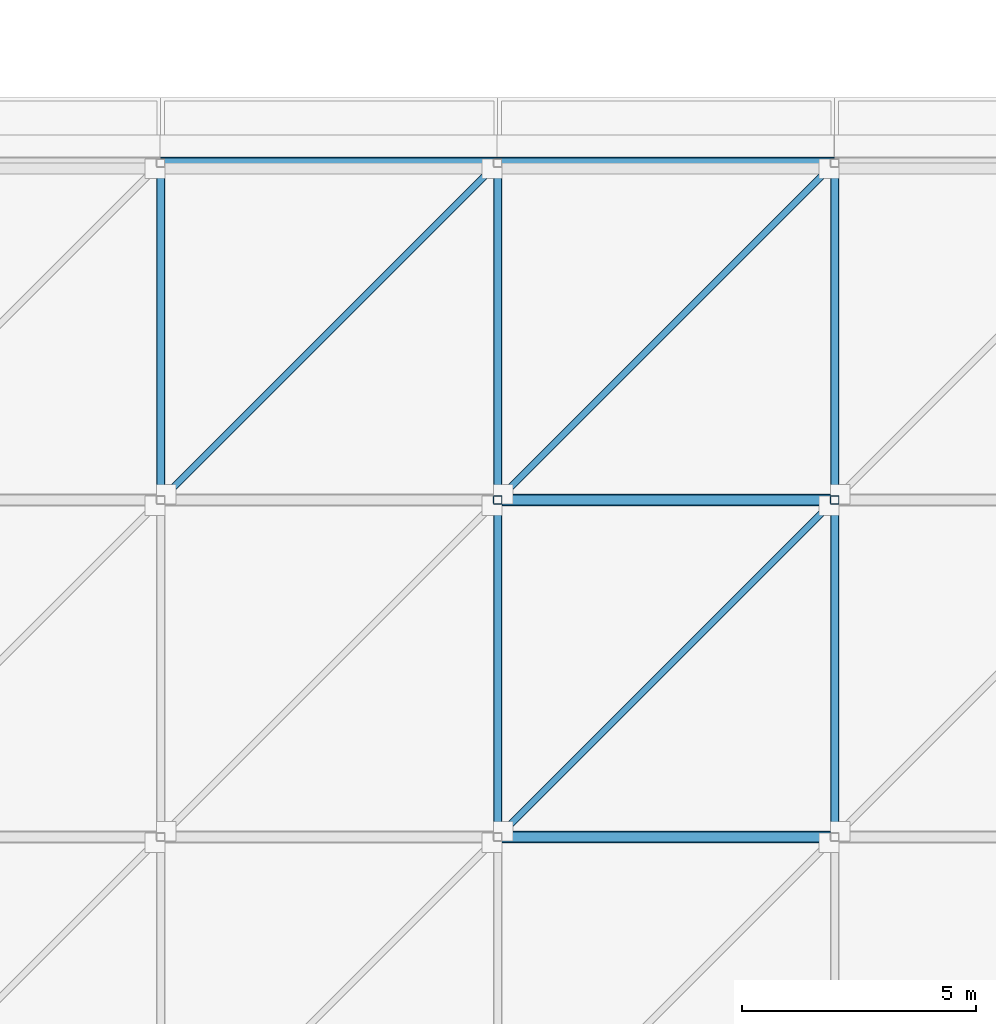
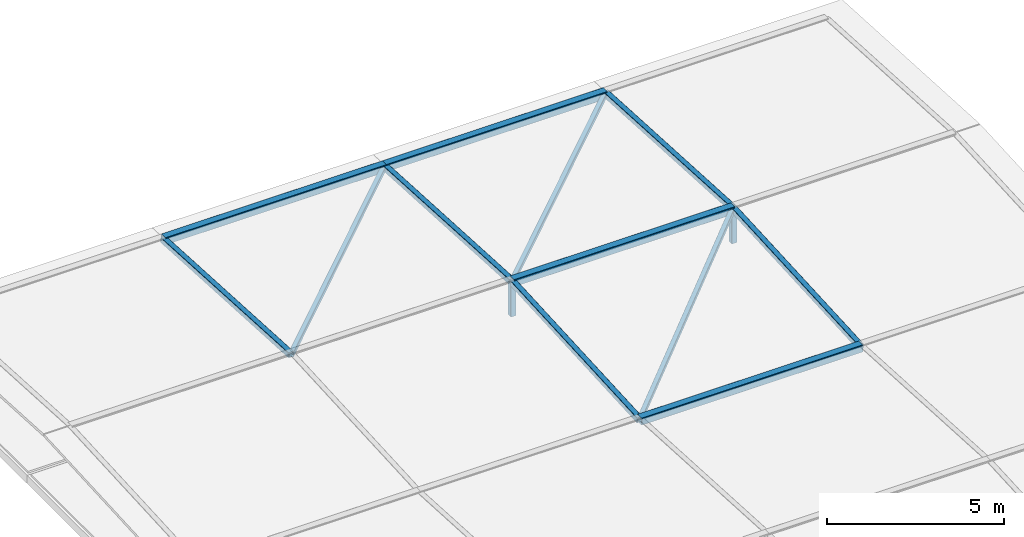
# One storey, part 5 of 15: 14 members.
"""IFC4 building model written with IfcOpenShell, lengths in metres."""

from ifc_helpers import new_model, si_unit, direction, frame, origin, origin_2d, place, context, subcontext, project, spatial, hollow_rectangle, extrude, material, material_profile, profile_set, type_object, element, save


model = new_model("IFC4")

# Units and contexts
model_context = context("Model", 3, precision=1e-05, world=origin(), true_north=direction((0.0, 1.0)))
body_context = subcontext(model_context, "Body", "Model", "MODEL_VIEW")
ifc_project = project(units=[si_unit("LENGTHUNIT", "METRE"), si_unit("AREAUNIT", "SQUARE_METRE"), si_unit("VOLUMEUNIT", "CUBIC_METRE"), si_unit("PLANEANGLEUNIT", "RADIAN"), si_unit("MASSUNIT", "GRAM", prefix="KILO")], contexts=[model_context])

# Site, building, storey
site_placement = place(None, origin())
site = spatial("IfcSite", under=ifc_project, at=site_placement, CompositionType="ELEMENT")
building_placement = place(site_placement, origin())
building = spatial("IfcBuilding", under=site, at=building_placement, Name="Kavelor Marine Aquarium", CompositionType="ELEMENT")
storey_placement = place(building_placement, frame((0.0, 0.0, 25.56005859375)))
storey = spatial("IfcBuildingStorey", under=building, at=storey_placement, Name="RF", CompositionType="ELEMENT", Elevation=25.56005859375)

# Members
ifc_material_1 = material(Name="Steel S355", Category="steel")
ifc_material_profile_1 = material_profile(ifc_material_1, hollow_rectangle(XDim=0.25, YDim=0.25, WallThickness=0.010009765625, InnerFilletRadius=0.014892578125, OuterFilletRadius=0.02490234375, at=origin_2d()), Name="SHS 250x250x10.0")
ifc_profile_set_1 = profile_set([ifc_material_profile_1], Name="Steel S355")
member_type_1 = type_object("IfcMemberType", Name="ST-PV1", PredefinedType="CHORD", material=ifc_profile_set_1)
for number, where, z_axis, x_axis, name in (
    (1, (125.60009765625, 103.60009765625, 0.75), (1.0, 0.0, 0.0), (0.0, 1.0, 0.0), "pv:x2:17_13"),
    (2, (132.800048828125, 89.199951171875, 0.75), (1.0, 0.0, 0.0), (0.0, 1.0, 0.0), "pv:x1:18_12"),
    (3, (132.800048828125, 96.39990234375, 1.14990234375), (1.0, 0.0, 0.0), (0.0, 1.0, 0.0), "pv:x1:18_13"),
    (4, (132.800048828125, 103.60009765625, 0.75), (1.0, 0.0, 0.0), (0.0, 1.0, 0.0), "pv:x2:18_13"),
):
    element("IfcMember", number, at=place(storey_placement, frame(where, z_axis=z_axis, x_axis=x_axis)), inside=storey, type_object=member_type_1, Name=name, PredefinedType="CHORD", context=body_context, shape_type="SweptSolid", body=[
        extrude(hollow_rectangle(XDim=0.25, YDim=0.25, WallThickness=0.010009765625, InnerFilletRadius=0.014892578125, OuterFilletRadius=0.02490234375, at=origin_2d()), origin(), (0.0, 0.0, 1.0), 7.199951171875),
    ])
ifc_material_2 = material(Name="Steel S355", Category="steel")
ifc_material_profile_2 = material_profile(ifc_material_2, hollow_rectangle(XDim=0.179931640625, YDim=0.179931640625, WallThickness=0.008056640625, InnerFilletRadius=0.011962890625, OuterFilletRadius=0.02001953125, at=origin_2d()), Name="SHS 180x180x8.0")
ifc_profile_set_2 = profile_set([ifc_material_profile_2], Name="Steel S355")
member_type_2 = type_object("IfcMemberType", Name="ST-PV2", PredefinedType="CHORD", material=ifc_profile_set_2)
member_1_placement = place(storey_placement, frame((125.60009765625, 96.39990234375, 1.14990234375), z_axis=(0.0, 0.998461186455, -0.055455019104), x_axis=(-1.0, 0.0, 0.0)))
element("IfcMember", 5, at=member_1_placement, inside=storey, type_object=member_type_2, Name="pv:r2:16_13", PredefinedType="CHORD", context=body_context, shape_type="SweptSolid", body=[
    extrude(hollow_rectangle(XDim=0.179931640625, YDim=0.179931640625, WallThickness=0.008056640625, InnerFilletRadius=0.011962890625, OuterFilletRadius=0.02001953125, at=origin_2d()), origin(), (0.0, 0.0, 1.0), 7.211181640625),
])
member_2_placement = place(storey_placement, frame((132.800048828125, 96.39990234375, 0.0), z_axis=(0.0, 0.0, 1.0), x_axis=(1.0, 0.0, 0.0)))
element("IfcMember", 6, at=member_2_placement, inside=storey, type_object=member_type_2, Name="pv:p:18_13", PredefinedType="CHORD", context=body_context, shape_type="SweptSolid", body=[
    extrude(hollow_rectangle(XDim=0.179931640625, YDim=0.179931640625, WallThickness=0.008056640625, InnerFilletRadius=0.011962890625, OuterFilletRadius=0.02001953125, at=origin_2d()), origin(), (0.0, 0.0, 1.0), 1.14990234375),
])
member_3_placement = place(storey_placement, frame((132.800048828125, 89.199951171875, 0.75), z_axis=(0.0, 0.998461082335, 0.055456893726), x_axis=(-1.0, 0.0, 0.0)))
element("IfcMember", 7, at=member_3_placement, inside=storey, type_object=member_type_2, Name="pv:r2:17_12", PredefinedType="CHORD", context=body_context, shape_type="SweptSolid", body=[
    extrude(hollow_rectangle(XDim=0.179931640625, YDim=0.179931640625, WallThickness=0.008056640625, InnerFilletRadius=0.011962890625, OuterFilletRadius=0.02001953125, at=origin_2d()), origin(), (0.0, 0.0, 1.0), 7.2109375),
])
member_4_placement = place(storey_placement, frame((132.800048828125, 96.39990234375, 1.14990234375), z_axis=(0.0, 0.998461186455, -0.055455019104), x_axis=(-1.0, 0.0, 0.0)))
element("IfcMember", 8, at=member_4_placement, inside=storey, type_object=member_type_2, Name="pv:r2:17_13", PredefinedType="CHORD", context=body_context, shape_type="SweptSolid", body=[
    extrude(hollow_rectangle(XDim=0.179931640625, YDim=0.179931640625, WallThickness=0.008056640625, InnerFilletRadius=0.011962890625, OuterFilletRadius=0.02001953125, at=origin_2d()), origin(), (0.0, 0.0, 1.0), 7.211181640625),
])
member_5_placement = place(storey_placement, frame((140.0, 96.39990234375, 0.0), z_axis=(0.0, 0.0, 1.0), x_axis=(1.0, 0.0, 0.0)))
element("IfcMember", 9, at=member_5_placement, inside=storey, type_object=member_type_2, Name="pv:p:19_13", PredefinedType="CHORD", context=body_context, shape_type="SweptSolid", body=[
    extrude(hollow_rectangle(XDim=0.179931640625, YDim=0.179931640625, WallThickness=0.008056640625, InnerFilletRadius=0.011962890625, OuterFilletRadius=0.02001953125, at=origin_2d()), origin(), (0.0, 0.0, 1.0), 1.14990234375),
])
member_6_placement = place(storey_placement, frame((140.0, 89.199951171875, 0.75), z_axis=(0.0, 0.998461082335, 0.055456893726), x_axis=(-1.0, 0.0, 0.0)))
element("IfcMember", 10, at=member_6_placement, inside=storey, type_object=member_type_2, Name="pv:r2:18_12", PredefinedType="CHORD", context=body_context, shape_type="SweptSolid", body=[
    extrude(hollow_rectangle(XDim=0.179931640625, YDim=0.179931640625, WallThickness=0.008056640625, InnerFilletRadius=0.011962890625, OuterFilletRadius=0.02001953125, at=origin_2d()), origin(), (0.0, 0.0, 1.0), 7.2109375),
])
member_7_placement = place(storey_placement, frame((140.0, 96.39990234375, 1.14990234375), z_axis=(0.0, 0.998461186455, -0.055455019104), x_axis=(-1.0, 0.0, 0.0)))
element("IfcMember", 11, at=member_7_placement, inside=storey, type_object=member_type_2, Name="pv:r2:18_13", PredefinedType="CHORD", context=body_context, shape_type="SweptSolid", body=[
    extrude(hollow_rectangle(XDim=0.179931640625, YDim=0.179931640625, WallThickness=0.008056640625, InnerFilletRadius=0.011962890625, OuterFilletRadius=0.02001953125, at=origin_2d()), origin(), (0.0, 0.0, 1.0), 7.211181640625),
])
ifc_material_3 = material(Name="Steel S355", Category="steel")
ifc_material_profile_3 = material_profile(ifc_material_3, hollow_rectangle(XDim=0.14990234375, YDim=0.14990234375, WallThickness=0.00634765625, InnerFilletRadius=0.009521484375, OuterFilletRadius=0.015869140625, at=origin_2d()), Name="SHS 150x150x6.3")
ifc_profile_set_3 = profile_set([ifc_material_profile_3], Name="Steel S355")
member_type_3 = type_object("IfcMemberType", Name="ST-PV3", PredefinedType="BRACE", material=ifc_profile_set_3)
for number, where, z_axis, x_axis, name in (
    (12, (125.60009765625, 96.39990234375, 1.14990234375), (0.706550102431, 0.706574060591, -0.039243466406), (-0.7071187694, 0.70709479277, 0.0), "pv:br:17_13"),
    (13, (132.800048828125, 89.199951171875, 0.75), (0.706562063163, 0.706562063163, 0.039244130733), (-0.707106781187, 0.707106781187, 0.0), "pv:br:18_12"),
    (14, (132.800048828125, 96.39990234375, 1.14990234375), (0.706550102431, 0.706574060591, -0.039243466406), (-0.7071187694, 0.70709479277, 0.0), "pv:br:18_13"),
):
    element("IfcMember", number, at=place(storey_placement, frame(where, z_axis=z_axis, x_axis=x_axis)), inside=storey, type_object=member_type_3, Name=name, PredefinedType="BRACE", context=body_context, shape_type="SweptSolid", body=[
        extrude(hollow_rectangle(XDim=0.14990234375, YDim=0.14990234375, WallThickness=0.00634765625, InnerFilletRadius=0.009521484375, OuterFilletRadius=0.015869140625, at=origin_2d()), origin(), (0.0, 0.0, 1.0), 10.190185546875),
    ])

save(model, "model.ifc")
